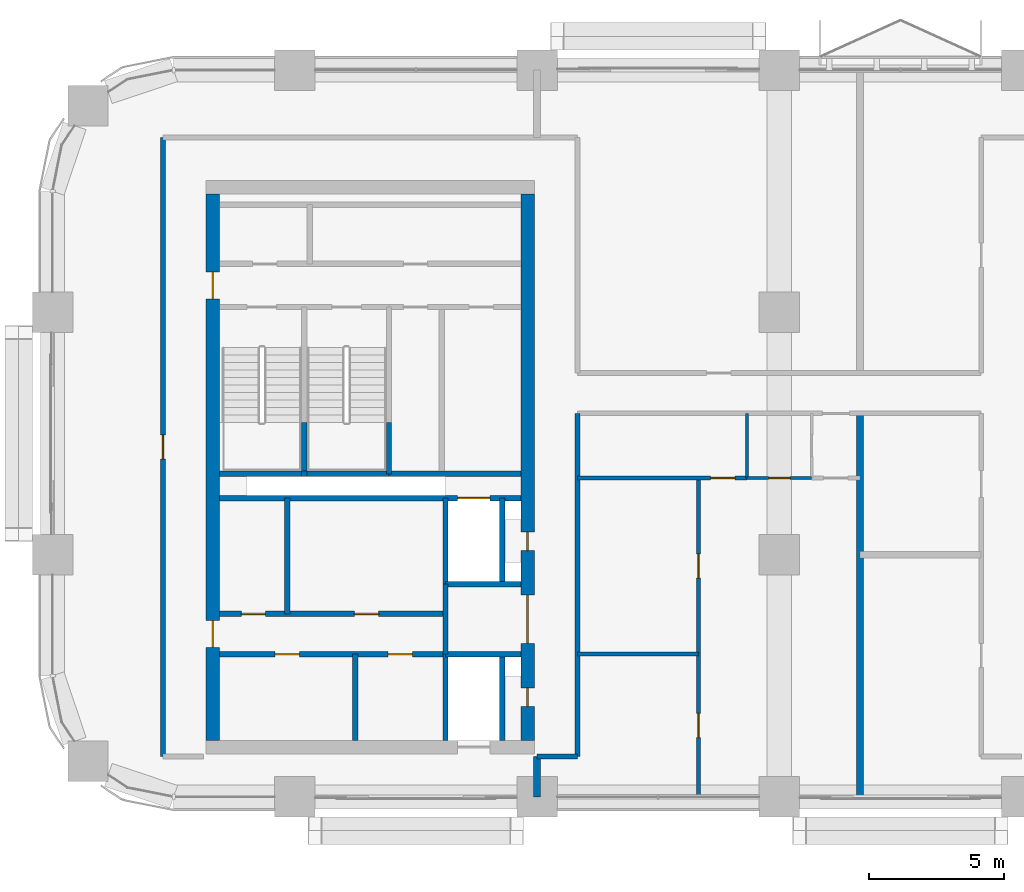
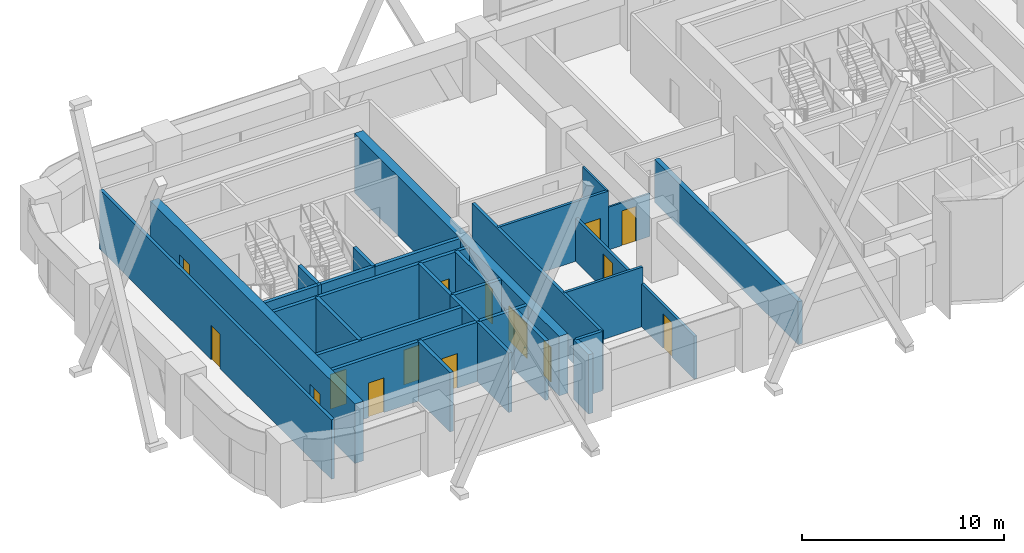
# One storey, part 9 of 14: 30 walls, 15 doors, 15 openings.
"""IFC4 building model written with IfcOpenShell, lengths in metres."""

from ifc_helpers import new_model, si_unit, direction, frame, frame_2d, origin, place, context, subcontext, project, spatial, rectangle, extrude, material, layer, layer_set, type_object, element, fill, save


model = new_model("IFC4")

# Units and contexts
model_context = context("Model", 3, precision=1e-05, world=origin(), true_north=direction((0.0, 1.0)))
body_context = subcontext(model_context, "Body", "Model", "MODEL_VIEW")
ifc_project = project(units=[si_unit("LENGTHUNIT", "METRE"), si_unit("AREAUNIT", "SQUARE_METRE"), si_unit("VOLUMEUNIT", "CUBIC_METRE"), si_unit("PLANEANGLEUNIT", "RADIAN"), si_unit("MASSUNIT", "GRAM", prefix="KILO")], contexts=[model_context])

# Site, building, storey
site_placement = place(None, origin())
site = spatial("IfcSite", under=ifc_project, at=site_placement, CompositionType="ELEMENT")
building_placement = place(site_placement, origin())
building = spatial("IfcBuilding", under=site, at=building_placement, Name="Tessera Arch", CompositionType="ELEMENT")
storey_placement = place(building_placement, frame((0.0, 0.0, 150.5)))
storey = spatial("IfcBuildingStorey", under=building, at=storey_placement, Name="L35", CompositionType="ELEMENT", Elevation=150.5)

# Walls
ifc_material_1 = material(Name="Gypsum board on steel stud", Category="steel")
ifc_layer_1 = layer(ifc_material_1, 0.125)
ifc_layer_set_1 = layer_set([ifc_layer_1], Name="Core partition 125 EI 60")
wall_type_1 = type_object("IfcWallType", Name="Core partition 125 EI 60", PredefinedType="PARTITIONING", material=ifc_layer_set_1)
wall_1_placement = place(storey_placement, frame((8.719970703125, 33.800048828125, 0.0), z_axis=(0.0, 0.0, 1.0), x_axis=(0.0, 1.0, 0.0)))
element("IfcWall", 1, at=wall_1_placement, inside=storey, type_object=wall_type_1, Name="L35 C2 partition wall 1", PredefinedType="PARTITIONING", context=body_context, shape_type="SweptSolid", body=[
    extrude(rectangle(XDim=4.300048828125, YDim=0.199951171875, at=frame_2d((2.14990234375, 0.0))), origin(), (0.0, 0.0, 1.0), 3.60009765625),
])
wall_2_placement = place(storey_placement, frame((11.239990234375, 29.10009765625, 0.0), z_axis=(0.0, 0.0, 1.0), x_axis=(0.0, 1.0, 0.0)))
element("IfcWall", 2, at=wall_2_placement, inside=storey, type_object=wall_type_1, Name="L35 C2 partition wall 5", PredefinedType="PARTITIONING", context=body_context, shape_type="SweptSolid", body=[
    extrude(rectangle(XDim=3.199951171875, YDim=0.199951171875, at=frame_2d((1.60009765625, 0.0))), origin(), (0.0, 0.0, 1.0), 3.60009765625),
])
wall_3_placement = place(storey_placement, frame((14.60009765625, 32.300048828125, 0.0), z_axis=(0.0, 0.0, 1.0), x_axis=(0.0, 1.0, 0.0)))
element("IfcWall", 3, at=wall_3_placement, inside=storey, type_object=wall_type_1, Name="L35 C2 partition wall 9", PredefinedType="PARTITIONING", context=body_context, shape_type="SweptSolid", body=[
    extrude(rectangle(XDim=2.599853515625, YDim=0.199951171875, at=frame_2d((1.2998046875, 0.0))), origin(), (0.0, 0.0, 1.0), 3.60009765625),
])

# Wall, openings, doors
wall_4_placement = place(storey_placement, frame((6.199951171875, 32.300048828125, 0.0), z_axis=(0.0, 0.0, 1.0), x_axis=(1.0, 0.0, 0.0)))
wall_4 = element("IfcWall", 4, at=wall_4_placement, inside=storey, type_object=wall_type_1, Name="L35 C2 partition wall 14", PredefinedType="PARTITIONING", context=body_context, shape_type="SweptSolid", body=[
    extrude(rectangle(XDim=8.400146484375, YDim=0.199951171875, at=frame_2d((4.2001953125, 0.0))), origin(), (0.0, 0.0, 1.0), 3.60009765625),
])
opening_1_placement = place(wall_4_placement, frame((2.070068359375, 0.0, 0.0)))
opening_1 = element("IfcOpeningElement", 5, at=opening_1_placement, cuts=wall_4, Name="Opening L35-C33", PredefinedType="OPENING", context=body_context, shape_type="SweptSolid", body=[
    extrude(rectangle(XDim=0.89990234375, YDim=2.10009765625, at=frame_2d((0.449951171875, 1.050048828125))), frame((0.0, 0.10986328125, 0.0), z_axis=(0.0, -1.0, 0.0), x_axis=(1.0, 0.0, 0.0)), (0.0, 0.0, 1.0), 0.219970703125),
])
opening_2_placement = place(wall_4_placement, frame((6.27001953125, 0.0, 0.0)))
opening_2 = element("IfcOpeningElement", 6, at=opening_2_placement, cuts=wall_4, Name="Opening L35-C34", PredefinedType="OPENING", context=body_context, shape_type="SweptSolid", body=[
    extrude(rectangle(XDim=0.89990234375, YDim=2.10009765625, at=frame_2d((0.449951171875, 1.050048828125))), frame((0.0, 0.10986328125, 0.0), z_axis=(0.0, -1.0, 0.0), x_axis=(1.0, 0.0, 0.0)), (0.0, 0.0, 1.0), 0.219970703125),
])
ifc_material_2 = material(Name="Steel door leaf", Category="steel")
door_type_1 = type_object("IfcDoorType", Name="Store door FD30S 900 x 2100", OperationType="SINGLE_SWING_LEFT", PredefinedType="DOOR", material=ifc_material_2)
door_1_placement = place(opening_1_placement, origin())
door_1 = element("IfcDoor", 7, at=door_1_placement, inside=storey, type_object=door_type_1, Name="L35 C2 door 14 C33 type D09", OperationType="SINGLE_SWING_LEFT", OverallHeight=2.10009765625, OverallWidth=0.89990234375, PredefinedType="DOOR", context=body_context, shape_type="SweptSolid", body=[
    extrude(rectangle(XDim=0.89990234375, YDim=2.10009765625, at=frame_2d((0.449951171875, 1.050048828125))), frame((0.0, 0.02490234375, 0.0), z_axis=(0.0, -1.0, 0.0), x_axis=(1.0, 0.0, 0.0)), (0.0, 0.0, 1.0), 0.050048828125),
])
fill(opening_1, door_1)
door_2_placement = place(opening_2_placement, origin())
door_2 = element("IfcDoor", 8, at=door_2_placement, inside=storey, type_object=door_type_1, Name="L35 C2 door 15 C34 type D09", OperationType="SINGLE_SWING_RIGHT", OverallHeight=2.10009765625, OverallWidth=0.89990234375, PredefinedType="DOOR", context=body_context, shape_type="SweptSolid", body=[
    extrude(rectangle(XDim=0.89990234375, YDim=2.10009765625, at=frame_2d((0.449951171875, 1.050048828125))), frame((0.0, 0.02490234375, 0.0), z_axis=(0.0, -1.0, 0.0), x_axis=(1.0, 0.0, 0.0)), (0.0, 0.0, 1.0), 0.050048828125),
])
fill(opening_2, door_2)

wall_5_placement = place(storey_placement, frame((6.199951171875, 33.800048828125, 0.0), z_axis=(0.0, 0.0, 1.0), x_axis=(1.0, 0.0, 0.0)))
wall_5 = element("IfcWall", 9, at=wall_5_placement, inside=storey, type_object=wall_type_1, Name="L35 C2 partition wall 16", PredefinedType="PARTITIONING", context=body_context, shape_type="SweptSolid", body=[
    extrude(rectangle(XDim=8.400146484375, YDim=0.199951171875, at=frame_2d((4.2001953125, 0.0))), origin(), (0.0, 0.0, 1.0), 3.60009765625),
])
opening_3_placement = place(wall_5_placement, frame((0.81005859375, 0.0, 0.0)))
opening_3 = element("IfcOpeningElement", 10, at=opening_3_placement, cuts=wall_5, Name="Opening L35-C35", PredefinedType="OPENING", context=body_context, shape_type="SweptSolid", body=[
    extrude(rectangle(XDim=0.89990234375, YDim=2.10009765625, at=frame_2d((0.449951171875, 1.050048828125))), frame((0.0, 0.10986328125, 0.0), z_axis=(0.0, -1.0, 0.0), x_axis=(1.0, 0.0, 0.0)), (0.0, 0.0, 1.0), 0.219970703125),
])
opening_4_placement = place(wall_5_placement, frame((5.010009765625, 0.0, 0.0)))
opening_4 = element("IfcOpeningElement", 11, at=opening_4_placement, cuts=wall_5, Name="Opening L35-C36", PredefinedType="OPENING", context=body_context, shape_type="SweptSolid", body=[
    extrude(rectangle(XDim=0.89990234375, YDim=2.10009765625, at=frame_2d((0.449951171875, 1.050048828125))), frame((0.0, 0.10986328125, 0.0), z_axis=(0.0, -1.0, 0.0), x_axis=(1.0, 0.0, 0.0)), (0.0, 0.0, 1.0), 0.219970703125),
])
door_3_placement = place(opening_3_placement, origin())
door_3 = element("IfcDoor", 12, at=door_3_placement, inside=storey, type_object=door_type_1, Name="L35 C2 door 16 C35 type D09", OperationType="SINGLE_SWING_LEFT", OverallHeight=2.10009765625, OverallWidth=0.89990234375, PredefinedType="DOOR", context=body_context, shape_type="SweptSolid", body=[
    extrude(rectangle(XDim=0.89990234375, YDim=2.10009765625, at=frame_2d((0.449951171875, 1.050048828125))), frame((0.0, 0.02490234375, 0.0), z_axis=(0.0, -1.0, 0.0), x_axis=(1.0, 0.0, 0.0)), (0.0, 0.0, 1.0), 0.050048828125),
])
fill(opening_3, door_3)
door_4_placement = place(opening_4_placement, origin())
door_4 = element("IfcDoor", 13, at=door_4_placement, inside=storey, type_object=door_type_1, Name="L35 C2 door 17 C36 type D09", OperationType="SINGLE_SWING_RIGHT", OverallHeight=2.10009765625, OverallWidth=0.89990234375, PredefinedType="DOOR", context=body_context, shape_type="SweptSolid", body=[
    extrude(rectangle(XDim=0.89990234375, YDim=2.10009765625, at=frame_2d((0.449951171875, 1.050048828125))), frame((0.0, 0.02490234375, 0.0), z_axis=(0.0, -1.0, 0.0), x_axis=(1.0, 0.0, 0.0)), (0.0, 0.0, 1.0), 0.050048828125),
])
fill(opening_4, door_4)

ifc_material_3 = material(Name="Concrete C60/75", Category="concrete")
ifc_layer_2 = layer(ifc_material_3, 0.5)
ifc_layer_set_2 = layer_set([ifc_layer_2], Name="Core shell wall 500 C60-75")
wall_type_2 = type_object("IfcWallType", Name="Core shell wall 500 C60-75", PredefinedType="SHEAR", material=ifc_layer_set_2)
wall_6_placement = place(storey_placement, frame((5.949951171875, 29.10009765625, 0.0), z_axis=(0.0, 0.0, 1.0), x_axis=(0.0, 1.0, 0.0)))
wall_6 = element("IfcWall", 14, at=wall_6_placement, inside=storey, type_object=wall_type_2, Name="L35 C2 core wall W", PredefinedType="SHEAR", context=body_context, shape_type="SweptSolid", body=[
    extrude(rectangle(XDim=20.2998046875, YDim=0.5, at=frame_2d((10.14990234375, 0.0))), origin(), (0.0, 0.0, 1.0), 3.60009765625),
])
opening_5_placement = place(wall_6_placement, frame((3.449951171875, 0.0, 0.0)))
opening_5 = element("IfcOpeningElement", 15, at=opening_5_placement, cuts=wall_6, Name="Opening L35-C27", PredefinedType="OPENING", context=body_context, shape_type="SweptSolid", body=[
    extrude(rectangle(XDim=1.0, YDim=2.10009765625, at=frame_2d((0.5, 1.050048828125))), frame((0.0, 0.260009765625, 0.0), z_axis=(0.0, -1.0, 0.0), x_axis=(1.0, 0.0, 0.0)), (0.0, 0.0, 1.0), 0.52001953125),
])
opening_6_placement = place(wall_6_placement, frame((16.39990234375, 0.0, 0.0)))
opening_6 = element("IfcOpeningElement", 16, at=opening_6_placement, cuts=wall_6, Name="Opening L35-C28", PredefinedType="OPENING", context=body_context, shape_type="SweptSolid", body=[
    extrude(rectangle(XDim=1.0, YDim=2.10009765625, at=frame_2d((0.5, 1.050048828125))), frame((0.0, 0.260009765625, 0.0), z_axis=(0.0, -1.0, 0.0), x_axis=(1.0, 0.0, 0.0)), (0.0, 0.0, 1.0), 0.52001953125),
])
ifc_material_4 = material(Name="Steel door leaf", Category="steel")
door_type_2 = type_object("IfcDoorType", Name="Corridor door FD60 1000 x 2100", OperationType="SINGLE_SWING_LEFT", PredefinedType="DOOR", material=ifc_material_4)
door_5_placement = place(opening_5_placement, origin())
door_5 = element("IfcDoor", 17, at=door_5_placement, inside=storey, type_object=door_type_2, Name="L35 C2 door 8 C27 type D12", OperationType="SINGLE_SWING_LEFT", OverallHeight=2.10009765625, OverallWidth=1.0, PredefinedType="DOOR", context=body_context, shape_type="SweptSolid", body=[
    extrude(rectangle(XDim=1.0, YDim=2.10009765625, at=frame_2d((0.5, 1.050048828125))), frame((0.0, 0.02490234375, 0.0), z_axis=(0.0, -1.0, 0.0), x_axis=(1.0, 0.0, 0.0)), (0.0, 0.0, 1.0), 0.050048828125),
])
fill(opening_5, door_5)
door_6_placement = place(opening_6_placement, origin())
door_6 = element("IfcDoor", 18, at=door_6_placement, inside=storey, type_object=door_type_2, Name="L35 C2 door 9 C28 type D12", OperationType="SINGLE_SWING_RIGHT", OverallHeight=2.10009765625, OverallWidth=1.0, PredefinedType="DOOR", context=body_context, shape_type="SweptSolid", body=[
    extrude(rectangle(XDim=1.0, YDim=2.10009765625, at=frame_2d((0.5, 1.050048828125))), frame((0.0, 0.02490234375, 0.0), z_axis=(0.0, -1.0, 0.0), x_axis=(1.0, 0.0, 0.0)), (0.0, 0.0, 1.0), 0.050048828125),
])
fill(opening_6, door_6)

wall_7_placement = place(storey_placement, frame((17.64990234375, 29.10009765625, 0.0), z_axis=(0.0, 0.0, 1.0), x_axis=(0.0, 1.0, 0.0)))
wall_7 = element("IfcWall", 19, at=wall_7_placement, inside=storey, type_object=wall_type_2, Name="L35 C2 core wall E", PredefinedType="SHEAR", context=body_context, shape_type="SweptSolid", body=[
    extrude(rectangle(XDim=20.2998046875, YDim=0.5, at=frame_2d((10.14990234375, 0.0))), origin(), (0.0, 0.0, 1.0), 3.60009765625),
])
opening_7_placement = place(wall_7_placement, frame((1.25, 0.0, 0.0)))
opening_7 = element("IfcOpeningElement", 20, at=opening_7_placement, cuts=wall_7, Name="Opening L35-C22", PredefinedType="OPENING", context=body_context, shape_type="SweptSolid", body=[
    extrude(rectangle(XDim=0.699951171875, YDim=2.10009765625, at=frame_2d((0.35009765625, 1.050048828125))), frame((0.0, 0.260009765625, 0.0), z_axis=(0.0, -1.0, 0.0), x_axis=(1.0, 0.0, 0.0)), (0.0, 0.0, 1.0), 0.52001953125),
])
opening_8_placement = place(wall_7_placement, frame((7.050048828125, 0.0, 0.0)))
opening_8 = element("IfcOpeningElement", 21, at=opening_8_placement, cuts=wall_7, Name="Opening L35-C23", PredefinedType="OPENING", context=body_context, shape_type="SweptSolid", body=[
    extrude(rectangle(XDim=0.699951171875, YDim=2.10009765625, at=frame_2d((0.35009765625, 1.050048828125))), frame((0.0, 0.260009765625, 0.0), z_axis=(0.0, -1.0, 0.0), x_axis=(1.0, 0.0, 0.0)), (0.0, 0.0, 1.0), 0.52001953125),
])
opening_9_placement = place(wall_7_placement, frame((3.60009765625, 0.0, 0.0)))
opening_9 = element("IfcOpeningElement", 22, at=opening_9_placement, cuts=wall_7, Name="Opening L35-C26", PredefinedType="OPENING", context=body_context, shape_type="SweptSolid", body=[
    extrude(rectangle(XDim=1.800048828125, YDim=2.10009765625, at=frame_2d((0.89990234375, 1.050048828125))), frame((0.0, 0.260009765625, 0.0), z_axis=(0.0, -1.0, 0.0), x_axis=(1.0, 0.0, 0.0)), (0.0, 0.0, 1.0), 0.52001953125),
])
ifc_material_5 = material(Name="Glazed steel door leaf", Category="steel")
door_type_3 = type_object("IfcDoorType", Name="Lobby double door FD30S 1800 x 2100", OperationType="DOUBLE_DOOR_SINGLE_SWING", PredefinedType="DOOR", material=ifc_material_5)
door_7_placement = place(opening_9_placement, origin())
door_7 = element("IfcDoor", 23, at=door_7_placement, inside=storey, type_object=door_type_3, Name="L35 C2 door 7 C26 type D06", OperationType="DOUBLE_DOOR_SINGLE_SWING", OverallHeight=2.10009765625, OverallWidth=1.800048828125, PredefinedType="DOOR", context=body_context, shape_type="SweptSolid", body=[
    extrude(rectangle(XDim=1.800048828125, YDim=2.10009765625, at=frame_2d((0.89990234375, 1.050048828125))), frame((0.0, 0.02490234375, 0.0), z_axis=(0.0, -1.0, 0.0), x_axis=(1.0, 0.0, 0.0)), (0.0, 0.0, 1.0), 0.050048828125),
])
fill(opening_9, door_7)
ifc_material_6 = material(Name="Steel door leaf", Category="steel")
door_type_4 = type_object("IfcDoorType", Name="Service shaft door FD60 700 x 2100", OperationType="SINGLE_SWING_LEFT", PredefinedType="DOOR", material=ifc_material_6)
door_8_placement = place(opening_7_placement, origin())
door_8 = element("IfcDoor", 24, at=door_8_placement, inside=storey, type_object=door_type_4, Name="L35 C2 door 3 C22 type D07", OperationType="SINGLE_SWING_LEFT", OverallHeight=2.10009765625, OverallWidth=0.699951171875, PredefinedType="DOOR", context=body_context, shape_type="SweptSolid", body=[
    extrude(rectangle(XDim=0.699951171875, YDim=2.10009765625, at=frame_2d((0.35009765625, 1.050048828125))), frame((0.0, 0.02490234375, 0.0), z_axis=(0.0, -1.0, 0.0), x_axis=(1.0, 0.0, 0.0)), (0.0, 0.0, 1.0), 0.050048828125),
])
fill(opening_7, door_8)
door_9_placement = place(opening_8_placement, origin())
door_9 = element("IfcDoor", 25, at=door_9_placement, inside=storey, type_object=door_type_4, Name="L35 C2 door 4 C23 type D07", OperationType="SINGLE_SWING_LEFT", OverallHeight=2.10009765625, OverallWidth=0.699951171875, PredefinedType="DOOR", context=body_context, shape_type="SweptSolid", body=[
    extrude(rectangle(XDim=0.699951171875, YDim=2.10009765625, at=frame_2d((0.35009765625, 1.050048828125))), frame((0.0, 0.02490234375, 0.0), z_axis=(0.0, -1.0, 0.0), x_axis=(1.0, 0.0, 0.0)), (0.0, 0.0, 1.0), 0.050048828125),
])
fill(opening_8, door_9)

# Wall
ifc_material_7 = material(Name="Gypsum board on deep steel stud with mineral wool", Category="steel")
ifc_layer_3 = layer(ifc_material_7, 0.175048828125)
ifc_layer_set_3 = layer_set([ifc_layer_3], Name="Corridor wall 175 EI 60")
wall_type_3 = type_object("IfcWallType", Name="Corridor wall 175 EI 60", PredefinedType="PARTITIONING", material=ifc_layer_set_3)
wall_8_placement = place(storey_placement, frame((18.0, 28.5, 0.0), z_axis=(0.0, 0.0, 1.0), x_axis=(1.0, 0.0, 0.0)))
element("IfcWall", 26, at=wall_8_placement, inside=storey, type_object=wall_type_3, Name="L35 partition 2", PredefinedType="PARTITIONING", context=body_context, shape_type="SweptSolid", body=[
    extrude(rectangle(XDim=1.5, YDim=0.175048828125, at=frame_2d((0.75, 0.0))), origin(), (0.0, 0.0, 1.0), 3.60009765625),
])

# Wall, opening, door
wall_9_placement = place(storey_placement, frame((4.10009765625, 28.5, 0.0), z_axis=(0.0, 0.0, 1.0), x_axis=(0.0, 1.0, 0.0)))
wall_9 = element("IfcWall", 27, at=wall_9_placement, inside=storey, type_object=wall_type_3, Name="L35 partition 9", PredefinedType="PARTITIONING", context=body_context, shape_type="SweptSolid", body=[
    extrude(rectangle(XDim=23.0, YDim=0.175048828125, at=frame_2d((11.5, 0.0))), origin(), (0.0, 0.0, 1.0), 3.60009765625),
])
opening_10_placement = place(wall_9_placement, frame((11.050048828125, 0.0, 0.0)))
opening_10 = element("IfcOpeningElement", 28, at=opening_10_placement, cuts=wall_9, Name="Opening L35-D011", PredefinedType="OPENING", context=body_context, shape_type="SweptSolid", body=[
    extrude(rectangle(XDim=0.89990234375, YDim=2.10009765625, at=frame_2d((0.449951171875, 1.050048828125))), frame((0.0, 0.097412109375, 0.0), z_axis=(0.0, -1.0, 0.0), x_axis=(1.0, 0.0, 0.0)), (0.0, 0.0, 1.0), 0.195068359375),
])
ifc_material_8 = material(Name="Timber door leaf", Category="wood")
door_type_5 = type_object("IfcDoorType", Name="Room door 900 x 2100", OperationType="SINGLE_SWING_LEFT", PredefinedType="DOOR", material=ifc_material_8)
door_10_placement = place(opening_10_placement, origin())
door_10 = element("IfcDoor", 29, at=door_10_placement, inside=storey, type_object=door_type_5, Name="L35 door D011 type D01", OperationType="SINGLE_SWING_LEFT", OverallHeight=2.10009765625, OverallWidth=0.89990234375, PredefinedType="DOOR", context=body_context, shape_type="SweptSolid", body=[
    extrude(rectangle(XDim=0.89990234375, YDim=2.10009765625, at=frame_2d((0.449951171875, 1.050048828125))), frame((0.0, 0.02490234375, 0.0), z_axis=(0.0, -1.0, 0.0), x_axis=(1.0, 0.0, 0.0)), (0.0, 0.0, 1.0), 0.050048828125),
])
fill(opening_10, door_10)

# Walls
wall_10_placement = place(storey_placement, frame((19.5, 28.5, 0.0), z_axis=(0.0, 0.0, 1.0), x_axis=(0.0, 1.0, 0.0)))
element("IfcWall", 30, at=wall_10_placement, inside=storey, type_object=wall_type_3, Name="L35 partition 10", PredefinedType="PARTITIONING", context=body_context, shape_type="SweptSolid", body=[
    extrude(rectangle(XDim=12.75, YDim=0.175048828125, at=frame_2d((6.375, 0.0))), origin(), (0.0, 0.0, 1.0), 3.60009765625),
])
ifc_material_9 = material(Name="Gypsum board on steel stud", Category="steel")
ifc_layer_4 = layer(ifc_material_9, 0.14990234375)
ifc_layer_set_4 = layer_set([ifc_layer_4], Name="Partition 150")
wall_type_4 = type_object("IfcWallType", Name="Partition 150", PredefinedType="PARTITIONING", material=ifc_layer_set_4)
wall_11_placement = place(storey_placement, frame((19.5, 32.303955078125, 0.0), z_axis=(0.0, 0.0, 1.0), x_axis=(1.0, 0.0, 0.0)))
element("IfcWall", 31, at=wall_11_placement, inside=storey, type_object=wall_type_4, Name="L35 partition 15", PredefinedType="PARTITIONING", context=body_context, shape_type="SweptSolid", body=[
    extrude(rectangle(XDim=4.5, YDim=0.14990234375, at=frame_2d((2.25, 0.0))), origin(), (0.0, 0.0, 1.0), 3.60009765625),
])

# Wall, opening, door
wall_12_placement = place(storey_placement, frame((19.5, 38.85009765625, 0.0), z_axis=(0.0, 0.0, 1.0), x_axis=(1.0, 0.0, 0.0)))
wall_12 = element("IfcWall", 32, at=wall_12_placement, inside=storey, type_object=wall_type_4, Name="L35 partition 16", PredefinedType="PARTITIONING", context=body_context, shape_type="SweptSolid", body=[
    extrude(rectangle(XDim=6.300048828125, YDim=0.14990234375, at=frame_2d((3.14990234375, 0.0))), origin(), (0.0, 0.0, 1.0), 3.60009765625),
])
opening_11_placement = place(wall_12_placement, frame((4.949951171875, 0.0, 0.0)))
opening_11 = element("IfcOpeningElement", 33, at=opening_11_placement, cuts=wall_12, Name="Opening L35-D007", PredefinedType="OPENING", context=body_context, shape_type="SweptSolid", body=[
    extrude(rectangle(XDim=0.89990234375, YDim=2.10009765625, at=frame_2d((0.449951171875, 1.050048828125))), frame((0.0, 0.0849609375, 0.0), z_axis=(0.0, -1.0, 0.0), x_axis=(1.0, 0.0, 0.0)), (0.0, 0.0, 1.0), 0.169921875),
])
door_11_placement = place(opening_11_placement, origin())
door_11 = element("IfcDoor", 34, at=door_11_placement, inside=storey, type_object=door_type_5, Name="L35 door D007 type D01", OperationType="SINGLE_SWING_LEFT", OverallHeight=2.10009765625, OverallWidth=0.89990234375, PredefinedType="DOOR", context=body_context, shape_type="SweptSolid", body=[
    extrude(rectangle(XDim=0.89990234375, YDim=2.10009765625, at=frame_2d((0.449951171875, 1.050048828125))), frame((0.0, 0.02490234375, 0.0), z_axis=(0.0, -1.0, 0.0), x_axis=(1.0, 0.0, 0.0)), (0.0, 0.0, 1.0), 0.050048828125),
])
fill(opening_11, door_11)

# Wall, openings, doors
wall_13_placement = place(storey_placement, frame((24.0, 27.0, 0.0), z_axis=(0.0, 0.0, 1.0), x_axis=(0.0, 1.0, 0.0)))
wall_13 = element("IfcWall", 35, at=wall_13_placement, inside=storey, type_object=wall_type_4, Name="L35 partition 18", PredefinedType="PARTITIONING", context=body_context, shape_type="SweptSolid", body=[
    extrude(rectangle(XDim=11.85009765625, YDim=0.14990234375, at=frame_2d((5.925048828125, 0.0))), origin(), (0.0, 0.0, 1.0), 2.60009765625),
])
opening_12_placement = place(wall_13_placement, frame((8.127197265625, 0.0, 0.0)))
opening_12 = element("IfcOpeningElement", 36, at=opening_12_placement, cuts=wall_13, Name="Opening L35-D008", PredefinedType="OPENING", context=body_context, shape_type="SweptSolid", body=[
    extrude(rectangle(XDim=0.89990234375, YDim=2.10009765625, at=frame_2d((0.449951171875, 1.050048828125))), frame((0.0, 0.0849609375, 0.0), z_axis=(0.0, -1.0, 0.0), x_axis=(1.0, 0.0, 0.0)), (0.0, 0.0, 1.0), 0.169921875),
])
opening_13_placement = place(wall_13_placement, frame((2.2021484375, 0.0, 0.0)))
opening_13 = element("IfcOpeningElement", 37, at=opening_13_placement, cuts=wall_13, Name="Opening L35-D009", PredefinedType="OPENING", context=body_context, shape_type="SweptSolid", body=[
    extrude(rectangle(XDim=0.89990234375, YDim=2.10009765625, at=frame_2d((0.449951171875, 1.050048828125))), frame((0.0, 0.0849609375, 0.0), z_axis=(0.0, -1.0, 0.0), x_axis=(1.0, 0.0, 0.0)), (0.0, 0.0, 1.0), 0.169921875),
])
door_12_placement = place(opening_12_placement, origin())
door_12 = element("IfcDoor", 38, at=door_12_placement, inside=storey, type_object=door_type_5, Name="L35 door D008 type D01", OperationType="SINGLE_SWING_LEFT", OverallHeight=2.10009765625, OverallWidth=0.89990234375, PredefinedType="DOOR", context=body_context, shape_type="SweptSolid", body=[
    extrude(rectangle(XDim=0.89990234375, YDim=2.10009765625, at=frame_2d((0.449951171875, 1.050048828125))), frame((0.0, 0.02490234375, 0.0), z_axis=(0.0, -1.0, 0.0), x_axis=(1.0, 0.0, 0.0)), (0.0, 0.0, 1.0), 0.050048828125),
])
fill(opening_12, door_12)
door_13_placement = place(opening_13_placement, origin())
door_13 = element("IfcDoor", 39, at=door_13_placement, inside=storey, type_object=door_type_5, Name="L35 door D009 type D01", OperationType="SINGLE_SWING_LEFT", OverallHeight=2.10009765625, OverallWidth=0.89990234375, PredefinedType="DOOR", context=body_context, shape_type="SweptSolid", body=[
    extrude(rectangle(XDim=0.89990234375, YDim=2.10009765625, at=frame_2d((0.449951171875, 1.050048828125))), frame((0.0, 0.02490234375, 0.0), z_axis=(0.0, -1.0, 0.0), x_axis=(1.0, 0.0, 0.0)), (0.0, 0.0, 1.0), 0.050048828125),
])
fill(opening_13, door_13)

# Walls
ifc_material_10 = material(Name="Double gypsum board on twin steel stud with acoustic mineral wool", Category="steel")
ifc_layer_5 = layer(ifc_material_10, 0.25)
ifc_layer_set_5 = layer_set([ifc_layer_5], Name="Party wall 250 EI 60")
wall_type_5 = type_object("IfcWallType", Name="Party wall 250 EI 60", PredefinedType="PARTITIONING", material=ifc_layer_set_5)
wall_14_placement = place(storey_placement, frame((18.0, 27.0, 0.0), z_axis=(0.0, 0.0, 1.0), x_axis=(0.0, 1.0, 0.0)))
element("IfcWall", 40, at=wall_14_placement, inside=storey, type_object=wall_type_5, Name="L35 partition 21", PredefinedType="PARTITIONING", context=body_context, shape_type="SweptSolid", body=[
    extrude(rectangle(XDim=1.5, YDim=0.25, at=frame_2d((0.75, 0.0))), origin(), (0.0, 0.0, 1.0), 3.60009765625),
])
wall_15_placement = place(storey_placement, frame((30.0, 27.0, 0.0), z_axis=(0.0, 0.0, 1.0), x_axis=(0.0, 1.0, 0.0)))
element("IfcWall", 41, at=wall_15_placement, inside=storey, type_object=wall_type_5, Name="L35 partition 23", PredefinedType="PARTITIONING", context=body_context, shape_type="SweptSolid", body=[
    extrude(rectangle(XDim=14.25, YDim=0.25, at=frame_2d((7.125, 0.0))), origin(), (0.0, 0.0, 1.0), 2.60009765625),
])
ifc_material_11 = material(Name="Concrete C40/50", Category="concrete")
ifc_layer_6 = layer(ifc_material_11, 0.199951171875)
ifc_layer_set_6 = layer_set([ifc_layer_6], Name="Shaft wall 200 EI 120")
wall_type_6 = type_object("IfcWallType", Name="Shaft wall 200 EI 120", PredefinedType="SOLIDWALL", material=ifc_layer_set_6)
wall_16_placement = place(storey_placement, frame((14.60009765625, 29.10009765625, 0.0), z_axis=(0.0, 0.0, 1.0), x_axis=(0.0, 1.0, 0.0)))
element("IfcWall", 42, at=wall_16_placement, inside=storey, type_object=wall_type_6, Name="L35 C2 shaft wall 10", PredefinedType="SOLIDWALL", context=body_context, shape_type="SweptSolid", body=[
    extrude(rectangle(XDim=3.199951171875, YDim=0.199951171875, at=frame_2d((1.60009765625, 0.0))), origin(), (0.0, 0.0, 1.0), 3.60009765625),
])
wall_17_placement = place(storey_placement, frame((14.60009765625, 34.89990234375, 0.0), z_axis=(0.0, 0.0, 1.0), x_axis=(0.0, 1.0, 0.0)))
element("IfcWall", 43, at=wall_17_placement, inside=storey, type_object=wall_type_6, Name="L35 C2 shaft wall 11", PredefinedType="SOLIDWALL", context=body_context, shape_type="SweptSolid", body=[
    extrude(rectangle(XDim=3.2001953125, YDim=0.199951171875, at=frame_2d((1.60009765625, 0.0))), origin(), (0.0, 0.0, 1.0), 3.60009765625),
])
wall_18_placement = place(storey_placement, frame((16.699951171875, 29.10009765625, 0.0), z_axis=(0.0, 0.0, 1.0), x_axis=(0.0, 1.0, 0.0)))
element("IfcWall", 44, at=wall_18_placement, inside=storey, type_object=wall_type_6, Name="L35 C2 shaft wall 12", PredefinedType="SOLIDWALL", context=body_context, shape_type="SweptSolid", body=[
    extrude(rectangle(XDim=3.199951171875, YDim=0.199951171875, at=frame_2d((1.60009765625, 0.0))), origin(), (0.0, 0.0, 1.0), 3.60009765625),
])
wall_19_placement = place(storey_placement, frame((16.699951171875, 34.89990234375, 0.0), z_axis=(0.0, 0.0, 1.0), x_axis=(0.0, 1.0, 0.0)))
element("IfcWall", 45, at=wall_19_placement, inside=storey, type_object=wall_type_6, Name="L35 C2 shaft wall 13", PredefinedType="SOLIDWALL", context=body_context, shape_type="SweptSolid", body=[
    extrude(rectangle(XDim=3.2001953125, YDim=0.199951171875, at=frame_2d((1.60009765625, 0.0))), origin(), (0.0, 0.0, 1.0), 3.60009765625),
])
for number, where, z_axis, x_axis, name in (
    (46, (14.60009765625, 32.300048828125, 0.0), (0.0, 0.0, 1.0), (1.0, 0.0, 0.0), "L35 C2 shaft wall 15"),
    (47, (14.60009765625, 34.89990234375, 0.0), (0.0, 0.0, 1.0), (1.0, 0.0, 0.0), "L35 C2 shaft wall 17"),
):
    element("IfcWall", number, at=place(storey_placement, frame(where, z_axis=z_axis, x_axis=x_axis)), inside=storey, type_object=wall_type_6, Name=name, PredefinedType="SOLIDWALL", context=body_context, shape_type="SweptSolid", body=[
        extrude(rectangle(XDim=2.7998046875, YDim=0.199951171875, at=frame_2d((1.39990234375, 0.0))), origin(), (0.0, 0.0, 1.0), 3.60009765625),
    ])

# Wall, opening, door
wall_20_placement = place(storey_placement, frame((6.199951171875, 38.10009765625, 0.0), z_axis=(0.0, 0.0, 1.0), x_axis=(1.0, 0.0, 0.0)))
wall_20 = element("IfcWall", 48, at=wall_20_placement, inside=storey, type_object=wall_type_6, Name="L35 C2 shaft wall 18", PredefinedType="SOLIDWALL", context=body_context, shape_type="SweptSolid", body=[
    extrude(rectangle(XDim=11.199951171875, YDim=0.199951171875, at=frame_2d((5.60009765625, 0.0))), origin(), (0.0, 0.0, 1.0), 3.60009765625),
])
opening_14_placement = place(wall_20_placement, frame((8.85009765625, 0.0, 0.0)))
opening_14 = element("IfcOpeningElement", 49, at=opening_14_placement, cuts=wall_20, Name="Opening L35-C21", PredefinedType="OPENING", context=body_context, shape_type="SweptSolid", body=[
    extrude(rectangle(XDim=1.199951171875, YDim=2.10009765625, at=frame_2d((0.60009765625, 1.050048828125))), frame((0.0, 0.10986328125, 0.0), z_axis=(0.0, -1.0, 0.0), x_axis=(1.0, 0.0, 0.0)), (0.0, 0.0, 1.0), 0.219970703125),
])
ifc_material_12 = material(Name="Stainless steel AISI 304", Category="steel")
door_type_6 = type_object("IfcDoorType", Name="Sliding landing door 1200 x 2100", OperationType="SLIDING_TO_LEFT", PredefinedType="DOOR", material=ifc_material_12)
door_14_placement = place(opening_14_placement, origin())
door_14 = element("IfcDoor", 50, at=door_14_placement, inside=storey, type_object=door_type_6, Name="L35 HR8 lift landing door C21 type LD", OperationType="SLIDING_TO_LEFT", OverallHeight=2.10009765625, OverallWidth=1.199951171875, PredefinedType="DOOR", context=body_context, shape_type="SweptSolid", body=[
    extrude(rectangle(XDim=1.199951171875, YDim=2.10009765625, at=frame_2d((0.60009765625, 1.050048828125))), frame((0.0, 0.02490234375, 0.0), z_axis=(0.0, -1.0, 0.0), x_axis=(1.0, 0.0, 0.0)), (0.0, 0.0, 1.0), 0.050048828125),
])
fill(opening_14, door_14)

# Walls
wall_21_placement = place(storey_placement, frame((12.5, 39.0, 0.0), z_axis=(0.0, 0.0, 1.0), x_axis=(1.0, 0.0, 0.0)))
element("IfcWall", 51, at=wall_21_placement, inside=storey, type_object=wall_type_6, Name="L35 C2 shaft wall 19", PredefinedType="SOLIDWALL", context=body_context, shape_type="SweptSolid", body=[
    extrude(rectangle(XDim=4.89990234375, YDim=0.199951171875, at=frame_2d((2.449951171875, 0.0))), origin(), (0.0, 0.0, 1.0), 3.60009765625),
])
ifc_material_13 = material(Name="Concrete C40/50", Category="concrete")
ifc_layer_7 = layer(ifc_material_13, 0.199951171875)
ifc_layer_set_7 = layer_set([ifc_layer_7], Name="Stair well wall 200 REI 180")
wall_type_7 = type_object("IfcWallType", Name="Stair well wall 200 REI 180", PredefinedType="SOLIDWALL", material=ifc_layer_set_7)
for number, where, z_axis, x_axis, name in (
    (52, (9.35009765625, 39.0, 0.0), (0.0, 0.0, 1.0), (0.0, 1.0, 0.0), "L35 C2 shaft wall 2"),
    (53, (12.5, 39.0, 0.0), (0.0, 0.0, 1.0), (0.0, 1.0, 0.0), "L35 C2 shaft wall 6"),
):
    element("IfcWall", number, at=place(storey_placement, frame(where, z_axis=z_axis, x_axis=x_axis)), inside=storey, type_object=wall_type_7, Name=name, PredefinedType="SOLIDWALL", context=body_context, shape_type="SweptSolid", body=[
        extrude(rectangle(XDim=1.89990234375, YDim=0.199951171875, at=frame_2d((0.949951171875, 0.0))), origin(), (0.0, 0.0, 1.0), 3.60009765625),
    ])
wall_22_placement = place(storey_placement, frame((6.199951171875, 39.0, 0.0), z_axis=(0.0, 0.0, 1.0), x_axis=(1.0, 0.0, 0.0)))
element("IfcWall", 54, at=wall_22_placement, inside=storey, type_object=wall_type_7, Name="L35 C2 shaft wall 20", PredefinedType="SOLIDWALL", context=body_context, shape_type="SweptSolid", body=[
    extrude(rectangle(XDim=3.050048828125, YDim=0.199951171875, at=frame_2d((1.52490234375, 0.0))), origin(), (0.0, 0.0, 1.0), 3.60009765625),
])
wall_23_placement = place(storey_placement, frame((9.25, 39.0, 0.0), z_axis=(0.0, 0.0, 1.0), x_axis=(1.0, 0.0, 0.0)))
element("IfcWall", 55, at=wall_23_placement, inside=storey, type_object=wall_type_7, Name="L35 C2 shaft wall 21", PredefinedType="SOLIDWALL", context=body_context, shape_type="SweptSolid", body=[
    extrude(rectangle(XDim=0.199951171875, YDim=0.199951171875, at=frame_2d((0.10009765625, 0.0))), origin(), (0.0, 0.0, 1.0), 3.60009765625),
])
wall_24_placement = place(storey_placement, frame((9.449951171875, 39.0, 0.0), z_axis=(0.0, 0.0, 1.0), x_axis=(1.0, 0.0, 0.0)))
element("IfcWall", 56, at=wall_24_placement, inside=storey, type_object=wall_type_7, Name="L35 C2 shaft wall 22", PredefinedType="SOLIDWALL", context=body_context, shape_type="SweptSolid", body=[
    extrude(rectangle(XDim=3.050048828125, YDim=0.199951171875, at=frame_2d((1.52490234375, 0.0))), origin(), (0.0, 0.0, 1.0), 3.60009765625),
])

# Wall, opening, door
ifc_material_14 = material(Name="Moisture-resistant board on pre-plumbed steel stud", Category="steel")
ifc_layer_8 = layer(ifc_material_14, 0.10009765625)
ifc_layer_set_8 = layer_set([ifc_layer_8], Name="Wet wall 100")
wall_type_8 = type_object("IfcWallType", Name="Wet wall 100", PredefinedType="PARTITIONING", material=ifc_layer_set_8)
wall_25_placement = place(storey_placement, frame((25.800048828125, 38.85009765625, 0.0), z_axis=(0.0, 0.0, 1.0), x_axis=(1.0, 0.0, 0.0)))
wall_25 = element("IfcWall", 57, at=wall_25_placement, inside=storey, type_object=wall_type_8, Name="L35 partition 27", PredefinedType="PARTITIONING", context=body_context, shape_type="SweptSolid", body=[
    extrude(rectangle(XDim=2.39990234375, YDim=0.10009765625, at=frame_2d((1.199951171875, 0.0))), origin(), (0.0, 0.0, 1.0), 2.60009765625),
])
opening_15_placement = place(wall_25_placement, frame((0.800048828125, 0.0, 0.0)))
opening_15 = element("IfcOpeningElement", 58, at=opening_15_placement, cuts=wall_25, Name="Opening L35-D006", PredefinedType="OPENING", context=body_context, shape_type="SweptSolid", body=[
    extrude(rectangle(XDim=0.800048828125, YDim=2.10009765625, at=frame_2d((0.39990234375, 1.050048828125))), frame((0.0, 0.06005859375, 0.0), z_axis=(0.0, -1.0, 0.0), x_axis=(1.0, 0.0, 0.0)), (0.0, 0.0, 1.0), 0.1201171875),
])
ifc_material_15 = material(Name="Timber door leaf", Category="wood")
door_type_7 = type_object("IfcDoorType", Name="En-suite door 800 x 2100", OperationType="SINGLE_SWING_LEFT", PredefinedType="DOOR", material=ifc_material_15)
door_15_placement = place(opening_15_placement, origin())
door_15 = element("IfcDoor", 59, at=door_15_placement, inside=storey, type_object=door_type_7, Name="L35 door D006 type D02", OperationType="SINGLE_SWING_RIGHT", OverallHeight=2.10009765625, OverallWidth=0.800048828125, PredefinedType="DOOR", context=body_context, shape_type="SweptSolid", body=[
    extrude(rectangle(XDim=0.800048828125, YDim=2.10009765625, at=frame_2d((0.39990234375, 1.050048828125))), frame((0.0, 0.02490234375, 0.0), z_axis=(0.0, -1.0, 0.0), x_axis=(1.0, 0.0, 0.0)), (0.0, 0.0, 1.0), 0.050048828125),
])
fill(opening_15, door_15)

# Wall
wall_26_placement = place(storey_placement, frame((25.800048828125, 38.85009765625, 0.0), z_axis=(0.0, 0.0, 1.0), x_axis=(0.0, 1.0, 0.0)))
element("IfcWall", 60, at=wall_26_placement, inside=storey, type_object=wall_type_8, Name="L35 partition 28", PredefinedType="PARTITIONING", context=body_context, shape_type="SweptSolid", body=[
    extrude(rectangle(XDim=2.39990234375, YDim=0.10009765625, at=frame_2d((1.199951171875, 0.0))), origin(), (0.0, 0.0, 1.0), 3.60009765625),
])

save(model, "model.ifc")
